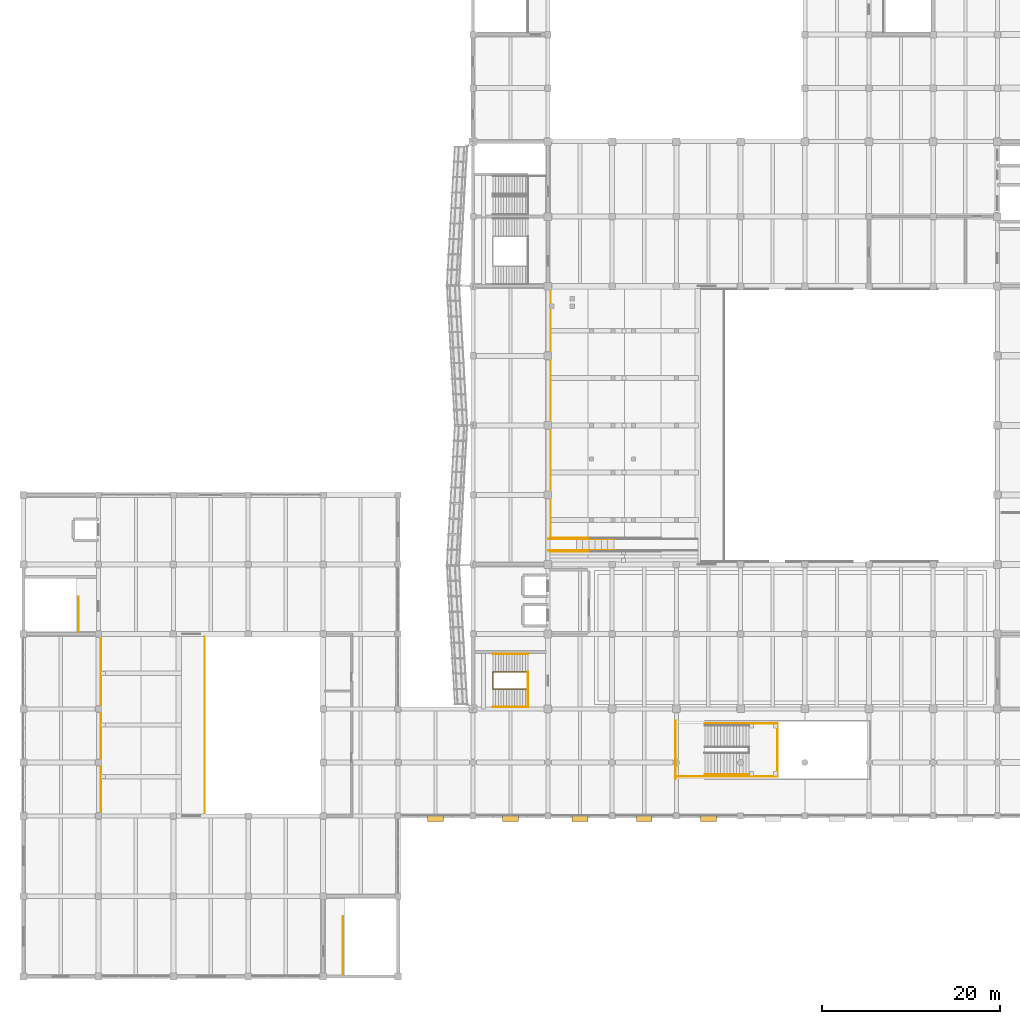
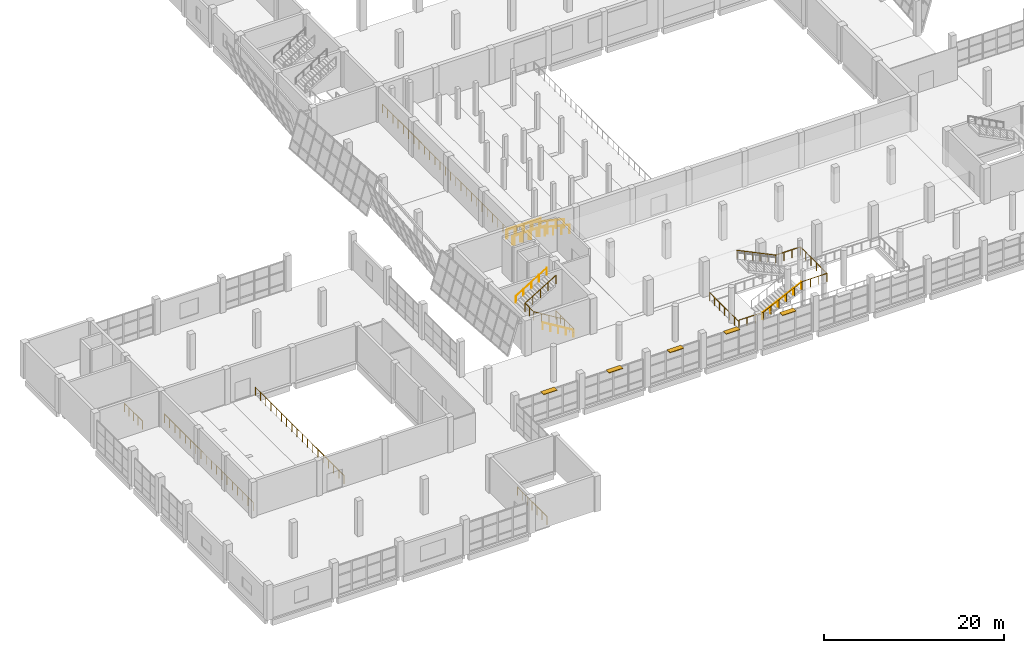
# One storey, part 88 of 91: 16 railings, 5 shading devices.
"""IFC4 building model written with IfcOpenShell, lengths in metres."""

from ifc_helpers import new_model, si_unit, direction, frame, origin, origin_2d, place, context, subcontext, project, spatial, rectangle, circle, extrude, material, type_object, element, save


model = new_model("IFC4")

# Units and contexts
model_context = context("Model", 3, precision=1e-05, world=origin(), true_north=direction((0.0, 1.0)))
body_context = subcontext(model_context, "Body", "Model", "MODEL_VIEW")
ifc_project = project(units=[si_unit("LENGTHUNIT", "METRE"), si_unit("AREAUNIT", "SQUARE_METRE"), si_unit("VOLUMEUNIT", "CUBIC_METRE"), si_unit("PLANEANGLEUNIT", "RADIAN"), si_unit("MASSUNIT", "GRAM", prefix="KILO")], contexts=[model_context])

# Site, building, storey
site_placement = place(None, origin())
site = spatial("IfcSite", under=ifc_project, at=site_placement, CompositionType="ELEMENT")
building_placement = place(site_placement, origin())
building = spatial("IfcBuilding", under=site, at=building_placement, Name="Pellamere Symphony Hall", CompositionType="ELEMENT")
storey_placement = place(building_placement, frame((0.0, 0.0, 5.39990234375)))
storey = spatial("IfcBuildingStorey", under=building, at=storey_placement, Name="L01", CompositionType="ELEMENT", Elevation=5.39990234375)

# Railings
ifc_material_1 = material(Name="Laminated Low-Iron Acoustic Balustrade Glass", Category="glass")
railing_type_1 = type_object("IfcRailingType", Name="Balustrade BL-01 H1120 Laminated", PredefinedType="BALUSTRADE", material=ifc_material_1)
railing_1_placement = place(storey_placement, frame((73.25, 22.449951171875, 0.0)))
element("IfcRailing", 1, at=railing_1_placement, inside=storey, type_object=railing_type_1, Name="Feature Stair Outer Glass Balustrade (L01)", PredefinedType="BALUSTRADE", context=body_context, shape_type="SweptSolid", body=[
    extrude(circle(Radius=0.02392578125, at=origin_2d()), frame((0.0, 0.0, 1.09619140625), z_axis=(1.0, 0.0, 0.0), x_axis=(0.0, 1.0, 0.0)), (0.0, 0.0, 1.0), 3.14990234375),
    extrude(circle(Radius=0.02392578125, at=origin_2d()), frame((3.14990234375, 0.0, 1.09619140625), z_axis=(0.900155889247, 0.0, 0.435567876517), x_axis=(0.0, 1.0, 0.0)), (0.0, 0.0, 1.0), 5.510498046875),
    extrude(circle(Radius=0.02392578125, at=origin_2d()), frame((8.110107421875, 0.0, 3.49609375), z_axis=(1.0, 0.0, 0.0), x_axis=(0.0, 1.0, 0.0)), (0.0, 0.0, 1.0), 3.18994140625),
    extrude(circle(Radius=0.02392578125, at=origin_2d()), frame((11.300048828125, 0.0, 3.49609375), z_axis=(0.0, 1.0, 0.0), x_axis=(-1.0, 0.0, 0.0)), (0.0, 0.0, 1.0), 5.900146484375),
    extrude(circle(Radius=0.02392578125, at=origin_2d()), frame((11.300048828125, 5.900146484375, 3.49609375), z_axis=(-1.0, 0.0, 0.0), x_axis=(0.0, -1.0, 0.0)), (0.0, 0.0, 1.0), 3.18994140625),
    extrude(circle(Radius=0.02392578125, at=origin_2d()), frame((8.110107421875, 5.900146484375, 3.49609375), z_axis=(-0.900173260143, 0.0, 0.435531975548), x_axis=(0.0, -1.0, 0.0)), (0.0, 0.0, 1.0), 5.51025390625),
    extrude(circle(Radius=0.02099609375, at=origin_2d()), origin(), (0.0, 0.0, 1.0), 1.072021484375),
    extrude(circle(Radius=0.02099609375, at=origin_2d()), frame((1.050048828125, 0.0, 0.0)), (0.0, 0.0, 1.0), 1.072021484375),
    extrude(circle(Radius=0.02099609375, at=origin_2d()), frame((2.099853515625, 0.0, 0.0)), (0.0, 0.0, 1.0), 1.072021484375),
    extrude(circle(Radius=0.02099609375, at=origin_2d()), frame((3.14990234375, 0.0, 0.0)), (0.0, 0.0, 1.0), 1.072021484375),
    extrude(circle(Radius=0.02099609375, at=origin_2d()), frame((4.141845703125, 0.0, 0.47998046875)), (0.0, 0.0, 1.0), 1.072021484375),
    extrude(circle(Radius=0.02099609375, at=origin_2d()), frame((5.134033203125, 0.0, 0.9599609375)), (0.0, 0.0, 1.0), 1.072021484375),
    extrude(circle(Radius=0.02099609375, at=origin_2d()), frame((6.1259765625, 0.0, 1.440185546875)), (0.0, 0.0, 1.0), 1.072021484375),
    extrude(circle(Radius=0.02099609375, at=origin_2d()), frame((7.1181640625, 0.0, 1.920166015625)), (0.0, 0.0, 1.0), 1.072021484375),
    extrude(circle(Radius=0.02099609375, at=origin_2d()), frame((8.110107421875, 0.0, 2.400146484375)), (0.0, 0.0, 1.0), 1.072021484375),
    extrude(circle(Radius=0.02099609375, at=origin_2d()), frame((9.17333984375, 0.0, 2.400146484375)), (0.0, 0.0, 1.0), 1.072021484375),
    extrude(circle(Radius=0.02099609375, at=origin_2d()), frame((10.23681640625, 0.0, 2.400146484375)), (0.0, 0.0, 1.0), 1.072021484375),
    extrude(circle(Radius=0.02099609375, at=origin_2d()), frame((11.300048828125, 0.0, 2.400146484375)), (0.0, 0.0, 1.0), 1.072021484375),
    extrude(circle(Radius=0.02099609375, at=origin_2d()), frame((11.300048828125, 1.179931640625, 2.400146484375)), (0.0, 0.0, 1.0), 1.072021484375),
    extrude(circle(Radius=0.02099609375, at=origin_2d()), frame((11.300048828125, 2.360107421875, 2.400146484375)), (0.0, 0.0, 1.0), 1.072021484375),
    extrude(circle(Radius=0.02099609375, at=origin_2d()), frame((11.300048828125, 3.5400390625, 2.400146484375)), (0.0, 0.0, 1.0), 1.072021484375),
    extrude(circle(Radius=0.02099609375, at=origin_2d()), frame((11.300048828125, 4.72021484375, 2.400146484375)), (0.0, 0.0, 1.0), 1.072021484375),
    extrude(circle(Radius=0.02099609375, at=origin_2d()), frame((11.300048828125, 5.900146484375, 2.400146484375)), (0.0, 0.0, 1.0), 1.072021484375),
    extrude(circle(Radius=0.02099609375, at=origin_2d()), frame((10.23681640625, 5.900146484375, 2.400146484375)), (0.0, 0.0, 1.0), 1.072021484375),
    extrude(circle(Radius=0.02099609375, at=origin_2d()), frame((9.17333984375, 5.900146484375, 2.400146484375)), (0.0, 0.0, 1.0), 1.072021484375),
    extrude(circle(Radius=0.02099609375, at=origin_2d()), frame((8.110107421875, 5.900146484375, 2.400146484375)), (0.0, 0.0, 1.0), 1.072021484375),
    extrude(circle(Radius=0.02099609375, at=origin_2d()), frame((7.1181640625, 5.900146484375, 2.880126953125)), (0.0, 0.0, 1.0), 1.072021484375),
    extrude(circle(Radius=0.02099609375, at=origin_2d()), frame((6.1259765625, 5.900146484375, 3.360107421875)), (0.0, 0.0, 1.0), 1.072021484375),
    extrude(circle(Radius=0.02099609375, at=origin_2d()), frame((5.134033203125, 5.900146484375, 3.840087890625)), (0.0, 0.0, 1.0), 1.072021484375),
    extrude(circle(Radius=0.02099609375, at=origin_2d()), frame((4.141845703125, 5.900146484375, 4.320068359375)), (0.0, 0.0, 1.0), 1.072021484375),
    extrude(circle(Radius=0.02099609375, at=origin_2d()), frame((3.14990234375, 5.900146484375, 4.800048828125)), (0.0, 0.0, 1.0), 1.072021484375),
])
railing_2_placement = place(storey_placement, frame((20.320068359375, 18.35009765625, 0.0)))
element("IfcRailing", 2, at=railing_2_placement, inside=storey, type_object=railing_type_1, Name="Chamber Hall Balcony Cross-Aisle Concourse Front Balustrade", PredefinedType="BALUSTRADE", context=body_context, shape_type="SweptSolid", body=[
    extrude(circle(Radius=0.02392578125, at=origin_2d()), frame((0.0, 0.0, 1.09619140625), z_axis=(0.0, 1.0, 0.0), x_axis=(-1.0, 0.0, 0.0)), (0.0, 0.0, 1.0), 19.699951171875),
    extrude(circle(Radius=0.02099609375, at=origin_2d()), origin(), (0.0, 0.0, 1.0), 1.072021484375),
    extrude(circle(Radius=0.02099609375, at=origin_2d()), frame((0.0, 1.158935546875, 0.0)), (0.0, 0.0, 1.0), 1.072021484375),
    extrude(circle(Radius=0.02099609375, at=origin_2d()), frame((0.0, 2.317626953125, 0.0)), (0.0, 0.0, 1.0), 1.072021484375),
    extrude(circle(Radius=0.02099609375, at=origin_2d()), frame((0.0, 3.4765625, 0.0)), (0.0, 0.0, 1.0), 1.072021484375),
    extrude(circle(Radius=0.02099609375, at=origin_2d()), frame((0.0, 4.63525390625, 0.0)), (0.0, 0.0, 1.0), 1.072021484375),
    extrude(circle(Radius=0.02099609375, at=origin_2d()), frame((0.0, 5.794189453125, 0.0)), (0.0, 0.0, 1.0), 1.072021484375),
    extrude(circle(Radius=0.02099609375, at=origin_2d()), frame((0.0, 6.952880859375, 0.0)), (0.0, 0.0, 1.0), 1.072021484375),
    extrude(circle(Radius=0.02099609375, at=origin_2d()), frame((0.0, 8.11181640625, 0.0)), (0.0, 0.0, 1.0), 1.072021484375),
    extrude(circle(Radius=0.02099609375, at=origin_2d()), frame((0.0, 9.2705078125, 0.0)), (0.0, 0.0, 1.0), 1.072021484375),
    extrude(circle(Radius=0.02099609375, at=origin_2d()), frame((0.0, 10.429443359375, 0.0)), (0.0, 0.0, 1.0), 1.072021484375),
    extrude(circle(Radius=0.02099609375, at=origin_2d()), frame((0.0, 11.588134765625, 0.0)), (0.0, 0.0, 1.0), 1.072021484375),
    extrude(circle(Radius=0.02099609375, at=origin_2d()), frame((0.0, 12.7470703125, 0.0)), (0.0, 0.0, 1.0), 1.072021484375),
    extrude(circle(Radius=0.02099609375, at=origin_2d()), frame((0.0, 13.90576171875, 0.0)), (0.0, 0.0, 1.0), 1.072021484375),
    extrude(circle(Radius=0.02099609375, at=origin_2d()), frame((0.0, 15.064697265625, 0.0)), (0.0, 0.0, 1.0), 1.072021484375),
    extrude(circle(Radius=0.02099609375, at=origin_2d()), frame((0.0, 16.223388671875, 0.0)), (0.0, 0.0, 1.0), 1.072021484375),
    extrude(circle(Radius=0.02099609375, at=origin_2d()), frame((0.0, 17.38232421875, 0.0)), (0.0, 0.0, 1.0), 1.072021484375),
    extrude(circle(Radius=0.02099609375, at=origin_2d()), frame((0.0, 18.541015625, 0.0)), (0.0, 0.0, 1.0), 1.072021484375),
    extrude(circle(Radius=0.02099609375, at=origin_2d()), frame((0.0, 19.699951171875, 0.0)), (0.0, 0.0, 1.0), 1.072021484375),
])
railing_3_placement = place(storey_placement, frame((73.1201171875, 22.1201171875, 0.0)))
element("IfcRailing", 3, at=railing_3_placement, inside=storey, type_object=railing_type_1, Name="Safety Guardrail BL-ATR-L01W", PredefinedType="BALUSTRADE", context=body_context, shape_type="SweptSolid", body=[
    extrude(circle(Radius=0.02392578125, at=origin_2d()), frame((0.0, 0.0, 1.09619140625), z_axis=(0.0, 1.0, 0.0), x_axis=(-1.0, 0.0, 0.0)), (0.0, 0.0, 1.0), 6.559814453125),
    extrude(circle(Radius=0.02099609375, at=origin_2d()), origin(), (0.0, 0.0, 1.0), 1.072021484375),
    extrude(circle(Radius=0.02099609375, at=origin_2d()), frame((0.0, 1.09326171875, 0.0)), (0.0, 0.0, 1.0), 1.072021484375),
    extrude(circle(Radius=0.02099609375, at=origin_2d()), frame((0.0, 2.1865234375, 0.0)), (0.0, 0.0, 1.0), 1.072021484375),
    extrude(circle(Radius=0.02099609375, at=origin_2d()), frame((0.0, 3.27978515625, 0.0)), (0.0, 0.0, 1.0), 1.072021484375),
    extrude(circle(Radius=0.02099609375, at=origin_2d()), frame((0.0, 4.373291015625, 0.0)), (0.0, 0.0, 1.0), 1.072021484375),
    extrude(circle(Radius=0.02099609375, at=origin_2d()), frame((0.0, 5.466552734375, 0.0)), (0.0, 0.0, 1.0), 1.072021484375),
    extrude(circle(Radius=0.02099609375, at=origin_2d()), frame((0.0, 6.559814453125, 0.0)), (0.0, 0.0, 1.0), 1.072021484375),
])
ifc_material_2 = material(Name="Architectural Bronze-Anodised Aluminium Balustrade", Category="aluminium")
railing_type_2 = type_object("IfcRailingType", Name="Balustrade BL-02 H1150 Architectural", PredefinedType="BALUSTRADE", material=ifc_material_2)
railing_4_placement = place(storey_placement, frame((59.1201171875, 49.14990234375, 1.050048828125)))
element("IfcRailing", 4, at=railing_4_placement, inside=storey, type_object=railing_type_2, Name="Safety Guardrail BL-M-L01W", PredefinedType="BALUSTRADE", context=body_context, shape_type="SweptSolid", body=[
    extrude(circle(Radius=0.02392578125, at=origin_2d()), frame((0.0, 0.0, 1.1259765625), z_axis=(0.0, 1.0, 0.0), x_axis=(-1.0, 0.0, 0.0)), (0.0, 0.0, 1.0), 27.900146484375),
    extrude(circle(Radius=0.02099609375, at=origin_2d()), origin(), (0.0, 0.0, 1.0), 1.101806640625),
    extrude(circle(Radius=0.02099609375, at=origin_2d()), frame((0.0, 1.16259765625, 0.0)), (0.0, 0.0, 1.0), 1.101806640625),
    extrude(circle(Radius=0.02099609375, at=origin_2d()), frame((0.0, 2.324951171875, 0.0)), (0.0, 0.0, 1.0), 1.101806640625),
    extrude(circle(Radius=0.02099609375, at=origin_2d()), frame((0.0, 3.487548828125, 0.0)), (0.0, 0.0, 1.0), 1.101806640625),
    extrude(circle(Radius=0.02099609375, at=origin_2d()), frame((0.0, 4.64990234375, 0.0)), (0.0, 0.0, 1.0), 1.101806640625),
    extrude(circle(Radius=0.02099609375, at=origin_2d()), frame((0.0, 5.8125, 0.0)), (0.0, 0.0, 1.0), 1.101806640625),
    extrude(circle(Radius=0.02099609375, at=origin_2d()), frame((0.0, 6.97509765625, 0.0)), (0.0, 0.0, 1.0), 1.101806640625),
    extrude(circle(Radius=0.02099609375, at=origin_2d()), frame((0.0, 8.137451171875, 0.0)), (0.0, 0.0, 1.0), 1.101806640625),
    extrude(circle(Radius=0.02099609375, at=origin_2d()), frame((0.0, 9.300048828125, 0.0)), (0.0, 0.0, 1.0), 1.101806640625),
    extrude(circle(Radius=0.02099609375, at=origin_2d()), frame((0.0, 10.462646484375, 0.0)), (0.0, 0.0, 1.0), 1.101806640625),
    extrude(circle(Radius=0.02099609375, at=origin_2d()), frame((0.0, 11.625, 0.0)), (0.0, 0.0, 1.0), 1.101806640625),
    extrude(circle(Radius=0.02099609375, at=origin_2d()), frame((0.0, 12.78759765625, 0.0)), (0.0, 0.0, 1.0), 1.101806640625),
    extrude(circle(Radius=0.02099609375, at=origin_2d()), frame((0.0, 13.9501953125, 0.0)), (0.0, 0.0, 1.0), 1.101806640625),
    extrude(circle(Radius=0.02099609375, at=origin_2d()), frame((0.0, 15.112548828125, 0.0)), (0.0, 0.0, 1.0), 1.101806640625),
    extrude(circle(Radius=0.02099609375, at=origin_2d()), frame((0.0, 16.275146484375, 0.0)), (0.0, 0.0, 1.0), 1.101806640625),
    extrude(circle(Radius=0.02099609375, at=origin_2d()), frame((0.0, 17.4375, 0.0)), (0.0, 0.0, 1.0), 1.101806640625),
    extrude(circle(Radius=0.02099609375, at=origin_2d()), frame((0.0, 18.60009765625, 0.0)), (0.0, 0.0, 1.0), 1.101806640625),
    extrude(circle(Radius=0.02099609375, at=origin_2d()), frame((0.0, 19.7626953125, 0.0)), (0.0, 0.0, 1.0), 1.101806640625),
    extrude(circle(Radius=0.02099609375, at=origin_2d()), frame((0.0, 20.925048828125, 0.0)), (0.0, 0.0, 1.0), 1.101806640625),
    extrude(circle(Radius=0.02099609375, at=origin_2d()), frame((0.0, 22.087646484375, 0.0)), (0.0, 0.0, 1.0), 1.101806640625),
    extrude(circle(Radius=0.02099609375, at=origin_2d()), frame((0.0, 23.25, 0.0)), (0.0, 0.0, 1.0), 1.101806640625),
    extrude(circle(Radius=0.02099609375, at=origin_2d()), frame((0.0, 24.41259765625, 0.0)), (0.0, 0.0, 1.0), 1.101806640625),
    extrude(circle(Radius=0.02099609375, at=origin_2d()), frame((0.0, 25.5751953125, 0.0)), (0.0, 0.0, 1.0), 1.101806640625),
    extrude(circle(Radius=0.02099609375, at=origin_2d()), frame((0.0, 26.737548828125, 0.0)), (0.0, 0.0, 1.0), 1.101806640625),
    extrude(circle(Radius=0.02099609375, at=origin_2d()), frame((0.0, 27.900146484375, 0.0)), (0.0, 0.0, 1.0), 1.101806640625),
])
railing_5_placement = place(storey_placement, frame((8.679931640625, 18.35009765625, 0.400146484375)))
element("IfcRailing", 5, at=railing_5_placement, inside=storey, type_object=railing_type_2, Name="Safety Guardrail BL-C-L01W", PredefinedType="BALUSTRADE", context=body_context, shape_type="SweptSolid", body=[
    extrude(circle(Radius=0.02392578125, at=origin_2d()), frame((0.0, 0.0, 1.1259765625), z_axis=(0.0, 1.0, 0.0), x_axis=(-1.0, 0.0, 0.0)), (0.0, 0.0, 1.0), 19.699951171875),
    extrude(circle(Radius=0.02099609375, at=origin_2d()), origin(), (0.0, 0.0, 1.0), 1.101806640625),
    extrude(circle(Radius=0.02099609375, at=origin_2d()), frame((0.0, 1.158935546875, 0.0)), (0.0, 0.0, 1.0), 1.101806640625),
    extrude(circle(Radius=0.02099609375, at=origin_2d()), frame((0.0, 2.317626953125, 0.0)), (0.0, 0.0, 1.0), 1.101806640625),
    extrude(circle(Radius=0.02099609375, at=origin_2d()), frame((0.0, 3.4765625, 0.0)), (0.0, 0.0, 1.0), 1.101806640625),
    extrude(circle(Radius=0.02099609375, at=origin_2d()), frame((0.0, 4.63525390625, 0.0)), (0.0, 0.0, 1.0), 1.101806640625),
    extrude(circle(Radius=0.02099609375, at=origin_2d()), frame((0.0, 5.794189453125, 0.0)), (0.0, 0.0, 1.0), 1.101806640625),
    extrude(circle(Radius=0.02099609375, at=origin_2d()), frame((0.0, 6.952880859375, 0.0)), (0.0, 0.0, 1.0), 1.101806640625),
    extrude(circle(Radius=0.02099609375, at=origin_2d()), frame((0.0, 8.11181640625, 0.0)), (0.0, 0.0, 1.0), 1.101806640625),
    extrude(circle(Radius=0.02099609375, at=origin_2d()), frame((0.0, 9.2705078125, 0.0)), (0.0, 0.0, 1.0), 1.101806640625),
    extrude(circle(Radius=0.02099609375, at=origin_2d()), frame((0.0, 10.429443359375, 0.0)), (0.0, 0.0, 1.0), 1.101806640625),
    extrude(circle(Radius=0.02099609375, at=origin_2d()), frame((0.0, 11.588134765625, 0.0)), (0.0, 0.0, 1.0), 1.101806640625),
    extrude(circle(Radius=0.02099609375, at=origin_2d()), frame((0.0, 12.7470703125, 0.0)), (0.0, 0.0, 1.0), 1.101806640625),
    extrude(circle(Radius=0.02099609375, at=origin_2d()), frame((0.0, 13.90576171875, 0.0)), (0.0, 0.0, 1.0), 1.101806640625),
    extrude(circle(Radius=0.02099609375, at=origin_2d()), frame((0.0, 15.064697265625, 0.0)), (0.0, 0.0, 1.0), 1.101806640625),
    extrude(circle(Radius=0.02099609375, at=origin_2d()), frame((0.0, 16.223388671875, 0.0)), (0.0, 0.0, 1.0), 1.101806640625),
    extrude(circle(Radius=0.02099609375, at=origin_2d()), frame((0.0, 17.38232421875, 0.0)), (0.0, 0.0, 1.0), 1.101806640625),
    extrude(circle(Radius=0.02099609375, at=origin_2d()), frame((0.0, 18.541015625, 0.0)), (0.0, 0.0, 1.0), 1.101806640625),
    extrude(circle(Radius=0.02099609375, at=origin_2d()), frame((0.0, 19.699951171875, 0.0)), (0.0, 0.0, 1.0), 1.101806640625),
])

# Shading devices
ifc_material_3 = material(Name="Champagne-Anodised Extruded Aluminium 6063-T6", Category="aluminium")
shading_device_type = type_object("IfcShadingDeviceType", Name="Exterior Shading SD-02 1750x650", PredefinedType="AWNING", material=ifc_material_3)
for number, where, z_axis, x_axis, name in (
    (6, (46.199951171875, 17.719970703125, 3.8125), (0.0, 0.0, 1.0), (1.0, 0.0, 0.0), "South Concourse Brise-Soleil Awning (L01 Bay 1)"),
    (7, (54.60009765625, 17.719970703125, 3.8125), (0.0, 0.0, 1.0), (1.0, 0.0, 0.0), "South Concourse Brise-Soleil Awning (L01 Bay 2)"),
    (8, (62.39990234375, 17.719970703125, 3.8125), (0.0, 0.0, 1.0), (1.0, 0.0, 0.0), "South Concourse Brise-Soleil Awning (L01 Bay 3)"),
    (9, (69.60009765625, 17.719970703125, 3.8125), (0.0, 0.0, 1.0), (1.0, 0.0, 0.0), "South Concourse Brise-Soleil Awning (L01 Bay 4)"),
    (10, (76.800048828125, 17.719970703125, 3.8125), (0.0, 0.0, 1.0), (1.0, 0.0, 0.0), "South Concourse Brise-Soleil Awning (L01 Bay 5)"),
):
    element("IfcShadingDevice", number, at=place(storey_placement, frame(where, z_axis=z_axis, x_axis=x_axis)), inside=storey, type_object=shading_device_type, Name=name, PredefinedType="AWNING", context=body_context, shape_type="SweptSolid", body=[
        extrude(rectangle(XDim=1.75, YDim=0.64990234375, at=origin_2d()), origin(), (0.0, 0.0, 1.0), 0.074951171875),
    ])

# Railings
ifc_material_4 = material(Name="Painted Steel CSA G40.21 350W", Category="steel")
railing_type_3 = type_object("IfcRailingType", Name="Guardrail GR-02 H1150 Painted", PredefinedType="GUARDRAIL", material=ifc_material_4)
railing_6_placement = place(storey_placement, frame((56.574951171875, 32.239990234375, 0.0)))
element("IfcRailing", 11, at=railing_6_placement, inside=storey, type_object=railing_type_3, Name="Stair ST01-L01 Continuous Well Guardrail (L01)", PredefinedType="GUARDRAIL", context=body_context, shape_type="SweptSolid", body=[
    extrude(circle(Radius=0.02392578125, at=origin_2d()), frame((0.0, 0.0, 1.1259765625), z_axis=(-0.854599162348, 0.0, 0.519288235679), x_axis=(0.0, -1.0, 0.0)), (0.0, 0.0, 1.0), 4.6220703125),
    extrude(circle(Radius=0.02392578125, at=origin_2d()), frame((-3.949951171875, 0.0, 3.52587890625), z_axis=(0.0, 1.0, 0.0), x_axis=(-1.0, 0.0, 0.0)), (0.0, 0.0, 1.0), 1.919921875),
    extrude(circle(Radius=0.02392578125, at=origin_2d()), frame((-3.949951171875, 1.919921875, 3.52587890625), z_axis=(0.854622603422, 0.0, 0.519249656446), x_axis=(0.0, 1.0, 0.0)), (0.0, 0.0, 1.0), 4.621826171875),
    extrude(circle(Radius=0.02099609375, at=origin_2d()), origin(), (0.0, 0.0, 1.0), 1.101806640625),
    extrude(circle(Radius=0.02099609375, at=origin_2d()), frame((-0.987548828125, 0.0, 0.60009765625)), (0.0, 0.0, 1.0), 1.101806640625),
    extrude(circle(Radius=0.02099609375, at=origin_2d()), frame((-1.97509765625, 0.0, 1.2001953125)), (0.0, 0.0, 1.0), 1.101806640625),
    extrude(circle(Radius=0.02099609375, at=origin_2d()), frame((-2.96240234375, 0.0, 1.800048828125)), (0.0, 0.0, 1.0), 1.101806640625),
    extrude(circle(Radius=0.02099609375, at=origin_2d()), frame((-3.949951171875, 0.0, 2.400146484375)), (0.0, 0.0, 1.0), 1.101806640625),
    extrude(circle(Radius=0.02099609375, at=origin_2d()), frame((-3.949951171875, 0.9599609375, 2.400146484375)), (0.0, 0.0, 1.0), 1.101806640625),
    extrude(circle(Radius=0.02099609375, at=origin_2d()), frame((-3.949951171875, 1.919921875, 2.400146484375)), (0.0, 0.0, 1.0), 1.101806640625),
    extrude(circle(Radius=0.02099609375, at=origin_2d()), frame((-2.96240234375, 1.919921875, 3.0)), (0.0, 0.0, 1.0), 1.101806640625),
    extrude(circle(Radius=0.02099609375, at=origin_2d()), frame((-1.97509765625, 1.919921875, 3.60009765625)), (0.0, 0.0, 1.0), 1.101806640625),
    extrude(circle(Radius=0.02099609375, at=origin_2d()), frame((-0.987548828125, 1.919921875, 4.2001953125)), (0.0, 0.0, 1.0), 1.101806640625),
    extrude(circle(Radius=0.02099609375, at=origin_2d()), frame((0.0, 1.919921875, 4.800048828125)), (0.0, 0.0, 1.0), 1.101806640625),
])
for number, where, name in (
    (12, (56.574951171875, 30.2099609375, 0.0), "Stair ST01-L01 Landing Well Slot Guard (L01)"),
    (13, (6.175048828125, 38.610107421875, 0.0), "Stair ST03-L00 Top Landing Well Guard (L01)"),
):
    element("IfcRailing", number, at=place(storey_placement, frame(where)), inside=storey, type_object=railing_type_3, Name=name, PredefinedType="GUARDRAIL", context=body_context, shape_type="SweptSolid", body=[
        extrude(circle(Radius=0.02392578125, at=origin_2d()), frame((0.0, 0.0, 1.1259765625), z_axis=(0.0, 1.0, 0.0), x_axis=(-1.0, 0.0, 0.0)), (0.0, 0.0, 1.0), 3.949951171875),
        extrude(circle(Radius=0.02099609375, at=origin_2d()), origin(), (0.0, 0.0, 1.0), 1.101806640625),
        extrude(circle(Radius=0.02099609375, at=origin_2d()), frame((0.0, 0.987548828125, 0.0)), (0.0, 0.0, 1.0), 1.101806640625),
        extrude(circle(Radius=0.02099609375, at=origin_2d()), frame((0.0, 1.97509765625, 0.0)), (0.0, 0.0, 1.0), 1.101806640625),
        extrude(circle(Radius=0.02099609375, at=origin_2d()), frame((0.0, 2.96240234375, 0.0)), (0.0, 0.0, 1.0), 1.101806640625),
        extrude(circle(Radius=0.02099609375, at=origin_2d()), frame((0.0, 3.949951171875, 0.0)), (0.0, 0.0, 1.0), 1.101806640625),
    ])
railing_7_placement = place(storey_placement, frame((35.824951171875, 0.2099609375, 0.0)))
element("IfcRailing", 14, at=railing_7_placement, inside=storey, type_object=railing_type_3, Name="Stair ST09-L00 Top Landing Well Guard (L01)", PredefinedType="GUARDRAIL", context=body_context, shape_type="SweptSolid", body=[
    extrude(circle(Radius=0.02392578125, at=origin_2d()), frame((0.0, 0.0, 1.1259765625), z_axis=(0.0, 1.0, 0.0), x_axis=(-1.0, 0.0, 0.0)), (0.0, 0.0, 1.0), 6.550048828125),
    extrude(circle(Radius=0.02099609375, at=origin_2d()), origin(), (0.0, 0.0, 1.0), 1.101806640625),
    extrude(circle(Radius=0.02099609375, at=origin_2d()), frame((0.0, 1.091796875, 0.0)), (0.0, 0.0, 1.0), 1.101806640625),
    extrude(circle(Radius=0.02099609375, at=origin_2d()), frame((0.0, 2.183349609375, 0.0)), (0.0, 0.0, 1.0), 1.101806640625),
    extrude(circle(Radius=0.02099609375, at=origin_2d()), frame((0.0, 3.27490234375, 0.0)), (0.0, 0.0, 1.0), 1.101806640625),
    extrude(circle(Radius=0.02099609375, at=origin_2d()), frame((0.0, 4.36669921875, 0.0)), (0.0, 0.0, 1.0), 1.101806640625),
    extrude(circle(Radius=0.02099609375, at=origin_2d()), frame((0.0, 5.45849609375, 0.0)), (0.0, 0.0, 1.0), 1.101806640625),
    extrude(circle(Radius=0.02099609375, at=origin_2d()), frame((0.0, 6.550048828125, 0.0)), (0.0, 0.0, 1.0), 1.101806640625),
])
railing_8_placement = place(storey_placement, frame((66.199951171875, 47.77490234375, 0.0)))
element("IfcRailing", 15, at=railing_8_placement, inside=storey, type_object=railing_type_3, Name="Vomitory VOM-03 South Guardrail", PredefinedType="GUARDRAIL", context=body_context, shape_type="SweptSolid", body=[
    extrude(circle(Radius=0.02392578125, at=origin_2d()), frame((0.0, 0.0, 1.1259765625), z_axis=(-0.970139182784, 0.0, 0.242548894097), x_axis=(0.0, -1.0, 0.0)), (0.0, 0.0, 1.0), 4.329345703125),
    extrude(circle(Radius=0.02392578125, at=origin_2d()), frame((-4.199951171875, 0.0, 2.17578125), z_axis=(0.0, -1.0, 0.0), x_axis=(1.0, 0.0, 0.0)), (0.0, 0.0, 1.0), 0.02490234375),
    extrude(circle(Radius=0.02392578125, at=origin_2d()), frame((-4.199951171875, -0.02490234375, 2.17578125), z_axis=(-1.0, 0.0, 0.0), x_axis=(0.0, -1.0, 0.0)), (0.0, 0.0, 1.0), 3.14990234375),
    extrude(circle(Radius=0.02099609375, at=origin_2d()), origin(), (0.0, 0.0, 1.0), 1.101806640625),
    extrude(circle(Radius=0.02099609375, at=origin_2d()), frame((-1.050048828125, 0.0, 0.262451171875)), (0.0, 0.0, 1.0), 1.101806640625),
    extrude(circle(Radius=0.02099609375, at=origin_2d()), frame((-2.10009765625, 0.0, 0.52490234375)), (0.0, 0.0, 1.0), 1.101806640625),
    extrude(circle(Radius=0.02099609375, at=origin_2d()), frame((-3.14990234375, 0.0, 0.78759765625)), (0.0, 0.0, 1.0), 1.101806640625),
    extrude(circle(Radius=0.02099609375, at=origin_2d()), frame((-4.199951171875, 0.0, 1.050048828125)), (0.0, 0.0, 1.0), 1.101806640625),
    extrude(circle(Radius=0.02099609375, at=origin_2d()), frame((-4.199951171875, -0.02490234375, 1.050048828125)), (0.0, 0.0, 1.0), 1.101806640625),
    extrude(circle(Radius=0.02099609375, at=origin_2d()), frame((-5.25, -0.02490234375, 1.050048828125)), (0.0, 0.0, 1.0), 1.101806640625),
    extrude(circle(Radius=0.02099609375, at=origin_2d()), frame((-6.2998046875, -0.02490234375, 1.050048828125)), (0.0, 0.0, 1.0), 1.101806640625),
    extrude(circle(Radius=0.02099609375, at=origin_2d()), frame((-7.349853515625, -0.02490234375, 1.050048828125)), (0.0, 0.0, 1.0), 1.101806640625),
])
railing_9_placement = place(storey_placement, frame((66.199951171875, 49.02490234375, 0.0)))
element("IfcRailing", 16, at=railing_9_placement, inside=storey, type_object=railing_type_3, Name="Vomitory VOM-03 North Guardrail", PredefinedType="GUARDRAIL", context=body_context, shape_type="SweptSolid", body=[
    extrude(circle(Radius=0.02392578125, at=origin_2d()), frame((0.0, 0.0, 1.1259765625), z_axis=(-0.970139182784, 0.0, 0.242548894097), x_axis=(0.0, -1.0, 0.0)), (0.0, 0.0, 1.0), 4.329345703125),
    extrude(circle(Radius=0.02392578125, at=origin_2d()), frame((-4.199951171875, 0.0, 2.17578125), z_axis=(0.0, 1.0, 0.0), x_axis=(-1.0, 0.0, 0.0)), (0.0, 0.0, 1.0), 0.025146484375),
    extrude(circle(Radius=0.02392578125, at=origin_2d()), frame((-4.199951171875, 0.025146484375, 2.17578125), z_axis=(-1.0, 0.0, 0.0), x_axis=(0.0, -1.0, 0.0)), (0.0, 0.0, 1.0), 3.14990234375),
    extrude(circle(Radius=0.02099609375, at=origin_2d()), origin(), (0.0, 0.0, 1.0), 1.101806640625),
    extrude(circle(Radius=0.02099609375, at=origin_2d()), frame((-1.050048828125, 0.0, 0.262451171875)), (0.0, 0.0, 1.0), 1.101806640625),
    extrude(circle(Radius=0.02099609375, at=origin_2d()), frame((-2.10009765625, 0.0, 0.52490234375)), (0.0, 0.0, 1.0), 1.101806640625),
    extrude(circle(Radius=0.02099609375, at=origin_2d()), frame((-3.14990234375, 0.0, 0.78759765625)), (0.0, 0.0, 1.0), 1.101806640625),
    extrude(circle(Radius=0.02099609375, at=origin_2d()), frame((-4.199951171875, 0.0, 1.050048828125)), (0.0, 0.0, 1.0), 1.101806640625),
    extrude(circle(Radius=0.02099609375, at=origin_2d()), frame((-4.199951171875, 0.025146484375, 1.050048828125)), (0.0, 0.0, 1.0), 1.101806640625),
    extrude(circle(Radius=0.02099609375, at=origin_2d()), frame((-5.25, 0.025146484375, 1.050048828125)), (0.0, 0.0, 1.0), 1.101806640625),
    extrude(circle(Radius=0.02099609375, at=origin_2d()), frame((-6.2998046875, 0.025146484375, 1.050048828125)), (0.0, 0.0, 1.0), 1.101806640625),
    extrude(circle(Radius=0.02099609375, at=origin_2d()), frame((-7.349853515625, 0.025146484375, 1.050048828125)), (0.0, 0.0, 1.0), 1.101806640625),
])
ifc_material_5 = material(Name="Laminated Safety Glass 21.5mm with Stainless Cap", Category="glass")
railing_type_4 = type_object("IfcRailingType", Name="Guardrail GR-03 H1180 Laminated", PredefinedType="GUARDRAIL", material=ifc_material_5)
for number, where, name in (
    (17, (59.050048828125, 47.639892578125, 1.050048828125), "Vomitory Slot Bay 1 Balustrade VOM-03-1"),
    (18, (59.050048828125, 49.159912109375, 1.050048828125), "Vomitory Slot Bay 1 Balustrade VOM-03-2"),
):
    element("IfcRailing", number, at=place(storey_placement, frame(where)), inside=storey, type_object=railing_type_4, Name=name, PredefinedType="GUARDRAIL", context=body_context, shape_type="SweptSolid", body=[
        extrude(circle(Radius=0.02392578125, at=origin_2d()), frame((0.0, 0.0, 1.15576171875), z_axis=(1.0, 0.0, 0.0), x_axis=(0.0, 1.0, 0.0)), (0.0, 0.0, 1.0), 4.25),
        extrude(circle(Radius=0.02099609375, at=origin_2d()), origin(), (0.0, 0.0, 1.0), 1.1318359375),
        extrude(circle(Radius=0.02099609375, at=origin_2d()), frame((1.0625, 0.0, 0.0)), (0.0, 0.0, 1.0), 1.1318359375),
        extrude(circle(Radius=0.02099609375, at=origin_2d()), frame((2.125, 0.0, 0.0)), (0.0, 0.0, 1.0), 1.1318359375),
        extrude(circle(Radius=0.02099609375, at=origin_2d()), frame((3.1875, 0.0, 0.0)), (0.0, 0.0, 1.0), 1.1318359375),
        extrude(circle(Radius=0.02099609375, at=origin_2d()), frame((4.25, 0.0, 0.0)), (0.0, 0.0, 1.0), 1.1318359375),
    ])
ifc_material_6 = material(Name="Stainless Steel AISI 316", Category="steel")
railing_type_5 = type_object("IfcRailingType", Name="Handrail HR-01 H920 Stainless", PredefinedType="HANDRAIL", material=ifc_material_6)
railing_10_placement = place(storey_placement, frame((56.574951171875, 30.219970703125, 0.0)))
element("IfcRailing", 19, at=railing_10_placement, inside=storey, type_object=railing_type_5, Name="Stair ST01-L01 Lower Wall Handrail (L01)", PredefinedType="HANDRAIL", context=body_context, shape_type="SweptSolid", body=[
    extrude(circle(Radius=0.02392578125, at=origin_2d()), frame((0.0, 0.0, 0.89599609375), z_axis=(-0.854599162348, 0.0, 0.519288235679), x_axis=(0.0, -1.0, 0.0)), (0.0, 0.0, 1.0), 4.6220703125),
    extrude(circle(Radius=0.02099609375, at=origin_2d()), origin(), (0.0, 0.0, 1.0), 0.871826171875),
    extrude(circle(Radius=0.02099609375, at=origin_2d()), frame((-0.987548828125, 0.0, 0.60009765625)), (0.0, 0.0, 1.0), 0.871826171875),
    extrude(circle(Radius=0.02099609375, at=origin_2d()), frame((-1.97509765625, 0.0, 1.2001953125)), (0.0, 0.0, 1.0), 0.871826171875),
    extrude(circle(Radius=0.02099609375, at=origin_2d()), frame((-2.96240234375, 0.0, 1.800048828125)), (0.0, 0.0, 1.0), 0.871826171875),
    extrude(circle(Radius=0.02099609375, at=origin_2d()), frame((-3.949951171875, 0.0, 2.400146484375)), (0.0, 0.0, 1.0), 0.871826171875),
])
railing_11_placement = place(storey_placement, frame((52.625, 36.179931640625, 2.400146484375)))
element("IfcRailing", 20, at=railing_11_placement, inside=storey, type_object=railing_type_5, Name="Stair ST01-L01 Upper Wall Handrail (L01)", PredefinedType="HANDRAIL", context=body_context, shape_type="SweptSolid", body=[
    extrude(circle(Radius=0.02392578125, at=origin_2d()), frame((0.0, 0.0, 0.89599609375), z_axis=(0.854622603422, 0.0, 0.519249656446), x_axis=(0.0, 1.0, 0.0)), (0.0, 0.0, 1.0), 4.621826171875),
    extrude(circle(Radius=0.02099609375, at=origin_2d()), origin(), (0.0, 0.0, 1.0), 0.871826171875),
    extrude(circle(Radius=0.02099609375, at=origin_2d()), frame((0.987548828125, 0.0, 0.60009765625)), (0.0, 0.0, 1.0), 0.871826171875),
    extrude(circle(Radius=0.02099609375, at=origin_2d()), frame((1.97509765625, 0.0, 1.199951171875)), (0.0, 0.0, 1.0), 0.871826171875),
    extrude(circle(Radius=0.02099609375, at=origin_2d()), frame((2.96240234375, 0.0, 1.7998046875)), (0.0, 0.0, 1.0), 0.871826171875),
    extrude(circle(Radius=0.02099609375, at=origin_2d()), frame((3.949951171875, 0.0, 2.39990234375)), (0.0, 0.0, 1.0), 0.871826171875),
])
ifc_material_7 = material(Name="Solid White Oak Acoustic Handrail with Steel Core", Category="steel")
railing_type_6 = type_object("IfcRailingType", Name="Handrail HR-02 H920 Solid", PredefinedType="HANDRAIL", material=ifc_material_7)
railing_12_placement = place(storey_placement, frame((76.39990234375, 22.64990234375, 0.0)))
element("IfcRailing", 21, at=railing_12_placement, inside=storey, type_object=railing_type_6, Name="Feature Stair Oak Handrail Lower (L01)", PredefinedType="HANDRAIL", context=body_context, shape_type="SweptSolid", body=[
    extrude(circle(Radius=0.02392578125, at=origin_2d()), frame((0.0, 0.0, 0.89599609375), z_axis=(0.900155889247, 0.0, 0.435567876517), x_axis=(0.0, 1.0, 0.0)), (0.0, 0.0, 1.0), 5.510498046875),
    extrude(circle(Radius=0.02099609375, at=origin_2d()), origin(), (0.0, 0.0, 1.0), 0.871826171875),
    extrude(circle(Radius=0.02099609375, at=origin_2d()), frame((0.991943359375, 0.0, 0.47998046875)), (0.0, 0.0, 1.0), 0.871826171875),
    extrude(circle(Radius=0.02099609375, at=origin_2d()), frame((1.984130859375, 0.0, 0.9599609375)), (0.0, 0.0, 1.0), 0.871826171875),
    extrude(circle(Radius=0.02099609375, at=origin_2d()), frame((2.97607421875, 0.0, 1.440185546875)), (0.0, 0.0, 1.0), 0.871826171875),
    extrude(circle(Radius=0.02099609375, at=origin_2d()), frame((3.96826171875, 0.0, 1.920166015625)), (0.0, 0.0, 1.0), 0.871826171875),
    extrude(circle(Radius=0.02099609375, at=origin_2d()), frame((4.960205078125, 0.0, 2.400146484375)), (0.0, 0.0, 1.0), 0.871826171875),
])

save(model, "model.ifc")
